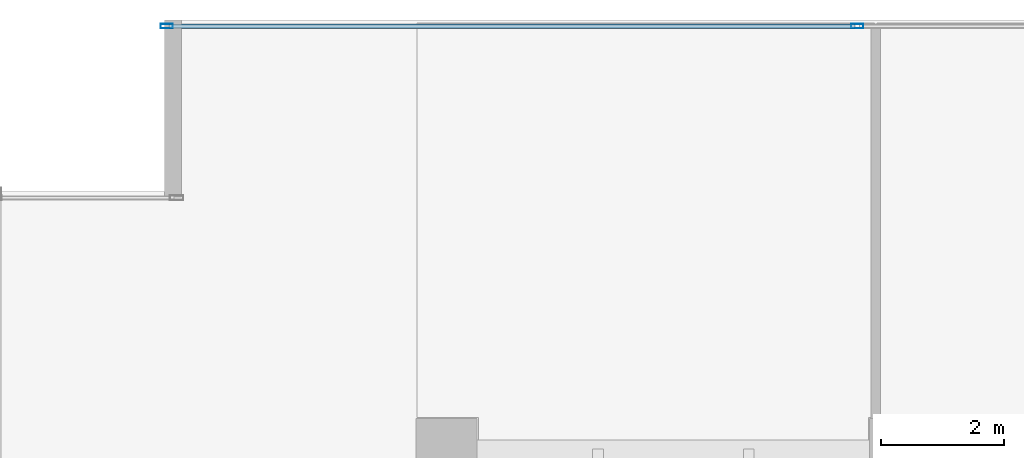
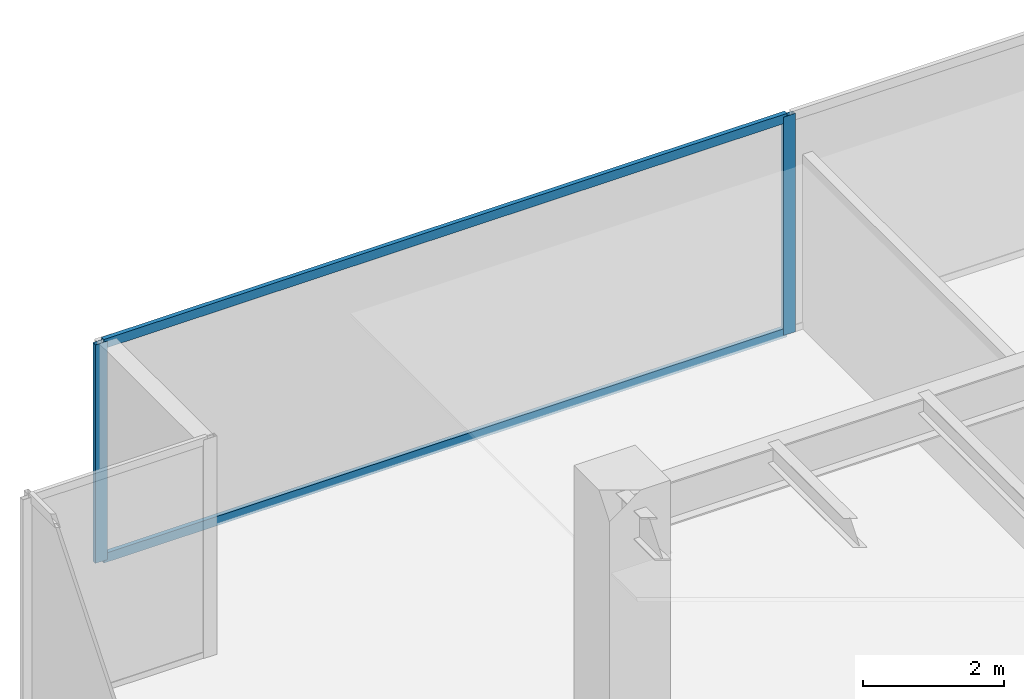
# One storey, part 15 of 36: 4 members, 1 element without a shape of its own.
"""IFC4 building model written with IfcOpenShell, lengths in metres."""

from ifc_helpers import new_model, si_unit, direction, frame, origin, origin_2d, place, context, subcontext, project, spatial, hollow_rectangle, extrude, source, transform, mapped, material, layer, layer_set, material_profile, profile_set, type_object, type_shapes, element, aggregate, save


model = new_model("IFC4")

# Units and contexts
model_context = context("Model", 3, precision=1e-05, world=origin(), true_north=direction((0.0, 1.0)))
body_context = subcontext(model_context, "Body", "Model", "MODEL_VIEW")
ifc_project = project(units=[si_unit("LENGTHUNIT", "METRE"), si_unit("AREAUNIT", "SQUARE_METRE"), si_unit("VOLUMEUNIT", "CUBIC_METRE"), si_unit("PLANEANGLEUNIT", "RADIAN"), si_unit("MASSUNIT", "GRAM", prefix="KILO")], contexts=[model_context])

# Site, building, storey
site_placement = place(None, origin())
site = spatial("IfcSite", under=ifc_project, at=site_placement, CompositionType="ELEMENT")
building_placement = place(site_placement, origin())
building = spatial("IfcBuilding", under=site, at=building_placement, Name="Haelvirn Gate Laboratories", CompositionType="ELEMENT")
storey_placement = place(building_placement, frame((0.0, 0.0, 53.89990234375)))
storey = spatial("IfcBuildingStorey", under=building, at=storey_placement, Name="L13", CompositionType="ELEMENT", Elevation=53.89990234375)

# Curtain wall, members
ifc_material_1 = material(Name="Anodised bronze unitised aluminium & triple low-E glass", Category="aluminium")
ifc_layer = layer(ifc_material_1, 0.18408203125, Name="CW-SYS-2")
ifc_layer_set = layer_set([ifc_layer], Name="Anodised bronze unitised aluminium & triple low-E glass")
curtain_wall_type = type_object("IfcCurtainWallType", Name="CW-SYS-2", PredefinedType="NOTDEFINED", material=ifc_layer_set)
curtain_wall_placement = place(storey_placement, origin())
curtain_wall = element("IfcCurtainWall", 1, at=curtain_wall_placement, inside=storey, type_object=curtain_wall_type, Name="L13 Unitised Curtain Wall CW-L13-P0-E14-1", PredefinedType="NOTDEFINED")
ifc_material_2 = material(Name="Extruded aluminium 6063-T6 (anodised bronze)", Category="aluminium")
ifc_material_profile_1 = material_profile(ifc_material_2, hollow_rectangle(XDim=0.074951171875, YDim=0.199951171875, WallThickness=0.0048828125, at=origin_2d()), Name="CWM-200x75x5")
ifc_profile_set_1 = profile_set([ifc_material_profile_1], Name="Extruded aluminium 6063-T6 (anodised bronze)")
member_type_1 = type_object("IfcMemberType", Name="CWM-T200", PredefinedType="MULLION", material=ifc_profile_set_1)
shared_shape_1 = source(origin(), body_context, "Body", "SweptSolid", [
    extrude(hollow_rectangle(XDim=0.074951171875, YDim=0.199951171875, WallThickness=0.0048828125, at=origin_2d()), origin(), (0.0, 0.0, 1.0), 3.780029296875),
])
type_shapes(member_type_1, [shared_shape_1])
member_1_placement = place(storey_placement, frame((2.83740234375, 48.5, 0.0), z_axis=(0.0, 0.0, 1.0), x_axis=(0.0, 1.0, 0.0)))
member_1 = element("IfcMember", 2, at=member_1_placement, type_object=member_type_1, Name="CW2 mullion 1", PredefinedType="MULLION", context=body_context, shape_type="MappedRepresentation", body=[
    mapped(shared_shape_1, transform((0.0, 0.0, 0.0), scale=1.0)),
])
member_2_placement = place(storey_placement, frame((14.10009765625, 48.5, 0.0), z_axis=(0.0, 0.0, 1.0), x_axis=(0.0, 1.0, 0.0)))
member_2 = element("IfcMember", 3, at=member_2_placement, type_object=member_type_1, Name="CW2 mullion 2", PredefinedType="MULLION", context=body_context, shape_type="MappedRepresentation", body=[
    mapped(shared_shape_1, transform((0.0, 0.0, 0.0), scale=1.0)),
])
ifc_material_profile_2 = material_profile(ifc_material_2, hollow_rectangle(XDim=0.070068359375, YDim=0.159912109375, WallThickness=0.0048828125, at=origin_2d()), Name="CWT-160x70x5")
ifc_profile_set_2 = profile_set([ifc_material_profile_2], Name="Extruded aluminium 6063-T6 (anodised bronze)")
member_type_2 = type_object("IfcMemberType", Name="CWT-T160", PredefinedType="USERDEFINED", material=ifc_profile_set_2)
shared_shape_2 = source(origin(), body_context, "Body", "SweptSolid", [
    extrude(hollow_rectangle(XDim=0.070068359375, YDim=0.159912109375, WallThickness=0.0048828125, at=origin_2d()), origin(), (0.0, 0.0, 1.0), 11.1875),
])
type_shapes(member_type_2, [shared_shape_2])
member_3_placement = place(storey_placement, frame((2.875, 48.5, 0.03515625), z_axis=(1.0, 0.0, 0.0), x_axis=(0.0, 1.0, 0.0)))
member_3 = element("IfcMember", 4, at=member_3_placement, type_object=member_type_2, Name="CW2 transom 1.1", ObjectType="TRANSOM", PredefinedType="USERDEFINED", context=body_context, shape_type="MappedRepresentation", body=[
    mapped(shared_shape_2, transform((0.0, 0.0, 0.0), scale=1.0)),
])
member_4_placement = place(storey_placement, frame((2.875, 48.5, 3.7451171875), z_axis=(1.0, 0.0, 0.0), x_axis=(0.0, 1.0, 0.0)))
member_4 = element("IfcMember", 5, at=member_4_placement, type_object=member_type_2, Name="CW2 transom 1.2", ObjectType="TRANSOM", PredefinedType="USERDEFINED", context=body_context, shape_type="MappedRepresentation", body=[
    mapped(shared_shape_2, transform((0.0, 0.0, 0.0), scale=1.0)),
])
aggregate(curtain_wall, [member_1, member_2, member_3, member_4])

save(model, "model.ifc")
